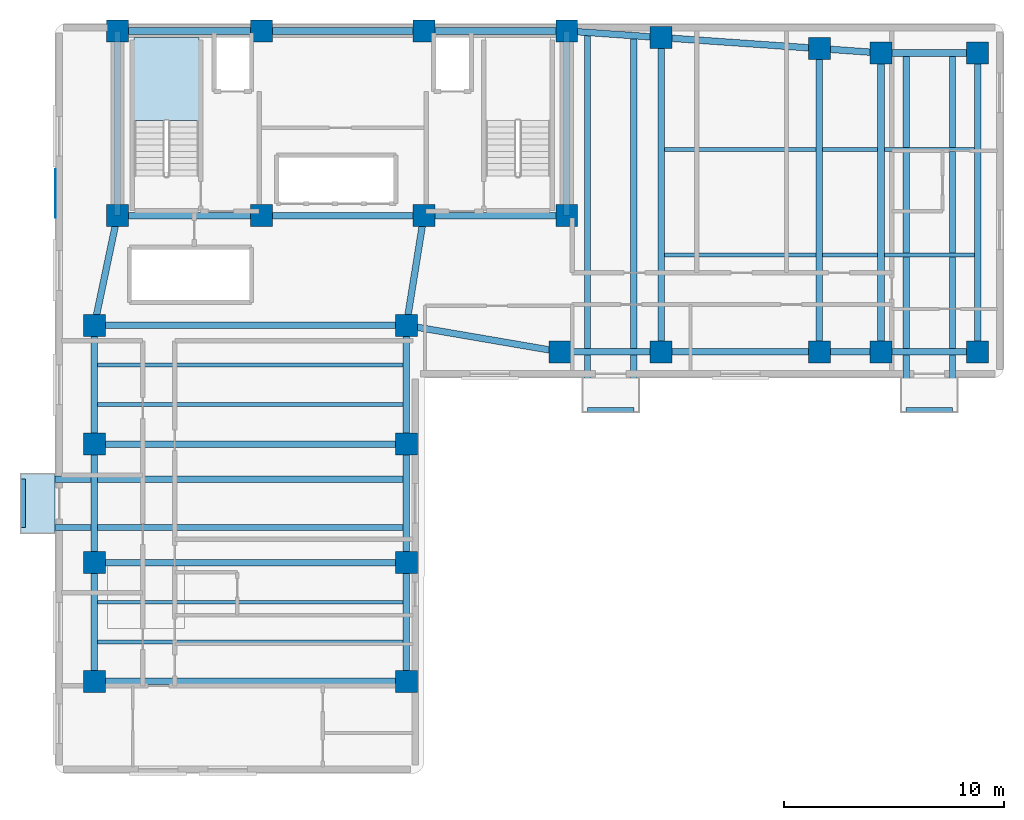
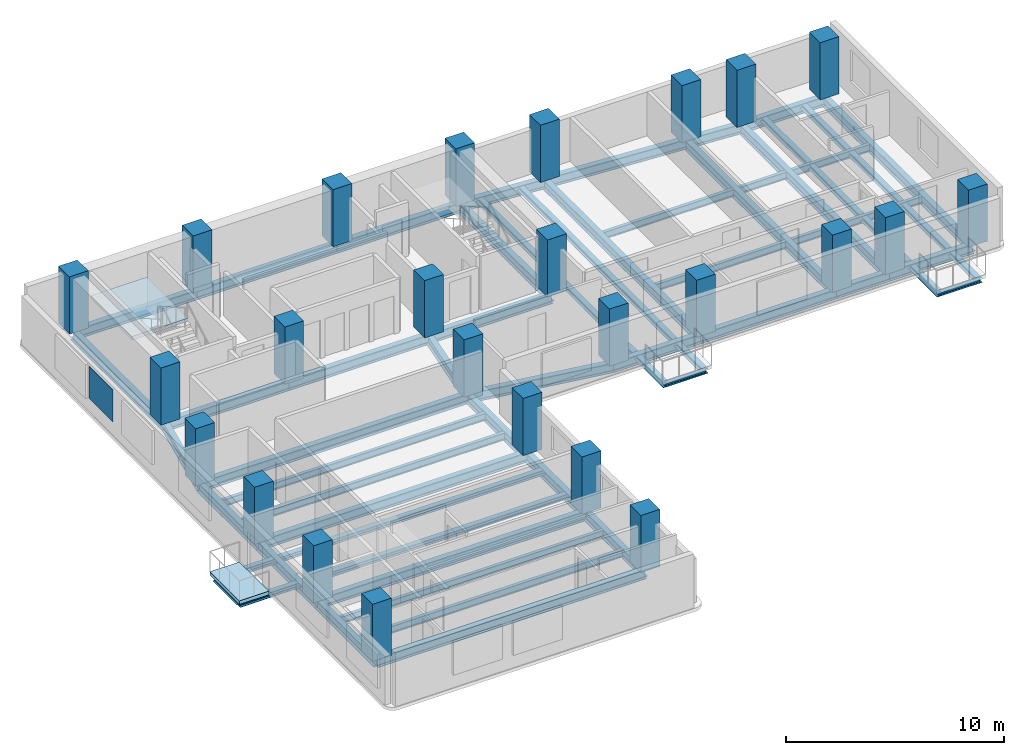
# One storey, part 1 of 7: 52 beams, 25 columns, 2 slabs, 1 plate, 1 element without a shape of its own.
"""IFC4 building model written with IfcOpenShell, lengths in metres."""

from ifc_helpers import new_model, si_unit, direction, frame, origin, origin_2d, place, context, subcontext, project, spatial, polyline, rectangle, i_section, outline, extrude, material, layer, layer_set, material_profile, profile_set, type_object, element, aggregate, save


model = new_model("IFC4")

# Units and contexts
model_context = context("Model", 3, precision=1e-05, world=origin(), true_north=direction((0.0, 1.0)))
body_context = subcontext(model_context, "Body", "Model", "MODEL_VIEW")
ifc_project = project(units=[si_unit("LENGTHUNIT", "METRE"), si_unit("AREAUNIT", "SQUARE_METRE"), si_unit("VOLUMEUNIT", "CUBIC_METRE"), si_unit("PLANEANGLEUNIT", "RADIAN"), si_unit("MASSUNIT", "GRAM", prefix="KILO")], contexts=[model_context])

# Site, building, storey
site_placement = place(None, origin())
site = spatial("IfcSite", under=ifc_project, at=site_placement, CompositionType="ELEMENT")
building_placement = place(site_placement, origin())
building = spatial("IfcBuilding", under=site, at=building_placement, Name="Kuzgunbayir Cultural Tower", CompositionType="ELEMENT")
storey_placement = place(building_placement, frame((0.0, 0.0, 126.60009765625)))
storey = spatial("IfcBuildingStorey", under=building, at=storey_placement, Name="L36", CompositionType="ELEMENT", Elevation=126.60009765625)

# Columns
ifc_material_1 = material(Name="Concrete C50/60", Category="concrete")
ifc_material_profile_1 = material_profile(ifc_material_1, rectangle(XDim=1.0, YDim=1.0, at=origin_2d()), Name="RC 1000x1000")
ifc_profile_set_1 = profile_set([ifc_material_profile_1], Name="Concrete C50/60")
column_type_1 = type_object("IfcColumnType", Name="COL-CORE-1000", PredefinedType="COLUMN", material=ifc_profile_set_1)
for number, where, z_axis, x_axis, name in (
    (1, (6.449951171875, 33.800048828125, 0.0), (0.0, 0.0, 1.0), (1.0, 0.0, 0.0), "L36 T1 Core Boundary Column CC1-1"),
    (2, (13.0, 33.800048828125, 0.0), (0.0, 0.0, 1.0), (1.0, 0.0, 0.0), "L36 T1 Core Boundary Column CC1-2"),
    (3, (20.39990234375, 33.800048828125, 0.0), (0.0, 0.0, 1.0), (1.0, 0.0, 0.0), "L36 T1 Core Boundary Column CC1-3"),
    (4, (26.89990234375, 33.800048828125, 0.0), (0.0, 0.0, 1.0), (1.0, 0.0, 0.0), "L36 T1 Core Boundary Column CC1-4"),
    (5, (6.449951171875, 42.199951171875, 0.0), (0.0, 0.0, 1.0), (1.0, 0.0, 0.0), "L36 T1 Core Boundary Column CC1-5"),
    (6, (13.0, 42.199951171875, 0.0), (0.0, 0.0, 1.0), (1.0, 0.0, 0.0), "L36 T1 Core Boundary Column CC1-6"),
    (7, (20.39990234375, 42.199951171875, 0.0), (0.0, 0.0, 1.0), (1.0, 0.0, 0.0), "L36 T1 Core Boundary Column CC1-7"),
    (8, (26.89990234375, 42.199951171875, 0.0), (0.0, 0.0, 1.0), (1.0, 0.0, 0.0), "L36 T1 Core Boundary Column CC1-8"),
):
    element("IfcColumn", number, at=place(storey_placement, frame(where, z_axis=z_axis, x_axis=x_axis)), inside=storey, type_object=column_type_1, Name=name, PredefinedType="COLUMN", context=body_context, shape_type="SweptSolid", body=[
        extrude(rectangle(XDim=1.0, YDim=1.0, at=origin_2d()), origin(), (0.0, 0.0, 1.0), 3.199951171875),
    ])
ifc_material_profile_2 = material_profile(ifc_material_1, rectangle(XDim=1.0, YDim=1.0, at=origin_2d()), Name="RC 1000x1000")
ifc_profile_set_2 = profile_set([ifc_material_profile_2], Name="Concrete C50/60")
column_type_2 = type_object("IfcColumnType", Name="COL-T1-1000", PredefinedType="COLUMN", material=ifc_profile_set_2)
for number, where, z_axis, x_axis, name in (
    (9, (5.39990234375, 12.60009765625, 0.0), (0.0, 0.0, 1.0), (1.0, 0.0, 0.0), "L36 Tower 1 Wing A Column T1A-W-1"),
    (10, (19.60009765625, 12.60009765625, 0.0), (0.0, 0.0, 1.0), (1.0, 0.0, 0.0), "L36 Tower 1 Wing A Column T1A-E-1"),
    (11, (5.39990234375, 18.0, 0.0), (0.0, 0.0, 1.0), (1.0, 0.0, 0.0), "L36 Tower 1 Wing A Column T1A-W-2"),
    (12, (19.60009765625, 18.0, 0.0), (0.0, 0.0, 1.0), (1.0, 0.0, 0.0), "L36 Tower 1 Wing A Column T1A-E-2"),
    (13, (5.39990234375, 23.39990234375, 0.0), (0.0, 0.0, 1.0), (1.0, 0.0, 0.0), "L36 Tower 1 Wing A Column T1A-W-3"),
    (14, (19.60009765625, 23.39990234375, 0.0), (0.0, 0.0, 1.0), (1.0, 0.0, 0.0), "L36 Tower 1 Wing A Column T1A-E-3"),
    (15, (5.39990234375, 28.800048828125, 0.0), (0.0, 0.0, 1.0), (1.0, 0.0, 0.0), "L36 Tower 1 Wing A Column T1A-W-4"),
    (16, (19.60009765625, 28.800048828125, 0.0), (0.0, 0.0, 1.0), (1.0, 0.0, 0.0), "L36 Tower 1 Wing A Column T1A-E-4"),
    (17, (26.60009765625, 27.60009765625, 0.0), (0.0, 0.0, 1.0), (1.0, 0.0, 0.0), "L36 Tower 1 Wing B Column T1B-1-1"),
    (18, (31.199951171875, 27.60009765625, 0.0), (0.0, 0.0, 1.0), (1.0, 0.0, 0.0), "L36 Tower 1 Wing B Column T1B-2-1"),
    (19, (31.199951171875, 41.89990234375, 0.0), (0.0, 0.0, 1.0), (1.0, 0.0, 0.0), "L36 Tower 1 Wing B Column T1B-2-2"),
    (20, (38.39990234375, 27.60009765625, 0.0), (0.0, 0.0, 1.0), (1.0, 0.0, 0.0), "L36 Tower 1 Wing B Column T1B-3-1"),
    (21, (38.39990234375, 41.39990234375, 0.0), (0.0, 0.0, 1.0), (1.0, 0.0, 0.0), "L36 Tower 1 Wing B Column T1B-3-2"),
    (22, (41.199951171875, 27.60009765625, 0.0), (0.0, 0.0, 1.0), (1.0, 0.0, 0.0), "L36 Tower 1 Wing B Column T1B-4-1"),
    (23, (41.199951171875, 41.199951171875, 0.0), (0.0, 0.0, 1.0), (1.0, 0.0, 0.0), "L36 Tower 1 Wing B Column T1B-4-2"),
    (24, (45.60009765625, 27.60009765625, 0.0), (0.0, 0.0, 1.0), (1.0, 0.0, 0.0), "L36 Tower 1 Wing B Column T1B-5-1"),
    (25, (45.60009765625, 41.199951171875, 0.0), (0.0, 0.0, 1.0), (1.0, 0.0, 0.0), "L36 Tower 1 Wing B Column T1B-5-2"),
):
    element("IfcColumn", number, at=place(storey_placement, frame(where, z_axis=z_axis, x_axis=x_axis)), inside=storey, type_object=column_type_2, Name=name, PredefinedType="COLUMN", context=body_context, shape_type="SweptSolid", body=[
        extrude(rectangle(XDim=1.0, YDim=1.0, at=origin_2d()), origin(), (0.0, 0.0, 1.0), 3.199951171875),
    ])

# Beams
ifc_material_2 = material(Name="Steel S355J2", Category="steel")
ifc_material_profile_3 = material_profile(ifc_material_2, i_section(OverallWidth=0.280029296875, OverallDepth=0.280029296875, WebThickness=0.010498046875, FlangeThickness=0.01806640625, FilletRadius=0.02392578125, at=origin_2d()), Name="HEB 280")
ifc_profile_set_3 = profile_set([ifc_material_profile_3], Name="Steel S355J2")
beam_type_1 = type_object("IfcBeamType", Name="BM-BAL-HEB280", PredefinedType="BEAM", material=ifc_profile_set_3)
for number, where, z_axis, x_axis, name in (
    (26, (2.159912109375, 19.60009765625, -0.340087890625), (1.0, 0.0, 0.0), (0.0, 1.0, 0.0), "L36 Balcony Outrigger Beam BAL-L36-WA2.1"),
    (27, (2.159912109375, 21.800048828125, -0.340087890625), (1.0, 0.0, 0.0), (0.0, 1.0, 0.0), "L36 Balcony Outrigger Beam BAL-L36-WA2.2"),
):
    element("IfcBeam", number, at=place(storey_placement, frame(where, z_axis=z_axis, x_axis=x_axis)), inside=storey, type_object=beam_type_1, Name=name, PredefinedType="BEAM", context=body_context, shape_type="SweptSolid", body=[
        extrude(i_section(OverallWidth=0.280029296875, OverallDepth=0.280029296875, WebThickness=0.010498046875, FlangeThickness=0.01806640625, FilletRadius=0.02392578125, at=origin_2d()), origin(), (0.0, 0.0, 1.0), 17.440185546875),
    ])
beam_1_placement = place(storey_placement, frame((27.85009765625, 24.9599609375, -0.340087890625), z_axis=(0.0, 1.0, 0.0), x_axis=(-1.0, 0.0, 0.0)))
element("IfcBeam", 28, at=beam_1_placement, inside=storey, type_object=beam_type_1, Name="L36 Balcony Outrigger Beam BAL-L36-WB1.1", PredefinedType="BEAM", context=body_context, shape_type="SweptSolid", body=[
    extrude(i_section(OverallWidth=0.280029296875, OverallDepth=0.280029296875, WebThickness=0.010498046875, FlangeThickness=0.01806640625, FilletRadius=0.02392578125, at=origin_2d()), origin(), (0.0, 0.0, 1.0), 17.169921875),
])
beam_2_placement = place(storey_placement, frame((29.949951171875, 24.9599609375, -0.340087890625), z_axis=(0.0, 1.0, 0.0), x_axis=(-1.0, 0.0, 0.0)))
element("IfcBeam", 29, at=beam_2_placement, inside=storey, type_object=beam_type_1, Name="L36 Balcony Outrigger Beam BAL-L36-WB1.2", PredefinedType="BEAM", context=body_context, shape_type="SweptSolid", body=[
    extrude(i_section(OverallWidth=0.280029296875, OverallDepth=0.280029296875, WebThickness=0.010498046875, FlangeThickness=0.01806640625, FilletRadius=0.02392578125, at=origin_2d()), origin(), (0.0, 0.0, 1.0), 17.030029296875),
])
for number, where, z_axis, x_axis, name in (
    (30, (42.35009765625, 24.9599609375, -0.340087890625), (0.0, 1.0, 0.0), (-1.0, 0.0, 0.0), "L36 Balcony Outrigger Beam BAL-L36-WB3.1"),
    (31, (44.449951171875, 24.9599609375, -0.340087890625), (0.0, 1.0, 0.0), (-1.0, 0.0, 0.0), "L36 Balcony Outrigger Beam BAL-L36-WB3.2"),
):
    element("IfcBeam", number, at=place(storey_placement, frame(where, z_axis=z_axis, x_axis=x_axis)), inside=storey, type_object=beam_type_1, Name=name, PredefinedType="BEAM", context=body_context, shape_type="SweptSolid", body=[
        extrude(i_section(OverallWidth=0.280029296875, OverallDepth=0.280029296875, WebThickness=0.010498046875, FlangeThickness=0.01806640625, FilletRadius=0.02392578125, at=origin_2d()), origin(), (0.0, 0.0, 1.0), 16.239990234375),
    ])
ifc_material_profile_4 = material_profile(ifc_material_2, i_section(OverallWidth=0.199951171875, OverallDepth=0.199951171875, WebThickness=0.009033203125, FlangeThickness=0.014892578125, FilletRadius=0.01806640625, at=origin_2d()), Name="HEB 200")
ifc_profile_set_4 = profile_set([ifc_material_profile_4], Name="Steel S355J2")
beam_type_2 = type_object("IfcBeamType", Name="BM-CAN-HEB200", PredefinedType="BEAM", material=ifc_profile_set_4)
beam_3_placement = place(storey_placement, frame((2.159912109375, 19.60009765625, -0.300048828125), z_axis=(0.0, 1.0, 0.0), x_axis=(-1.0, 0.0, 0.0)))
element("IfcBeam", 32, at=beam_3_placement, inside=storey, type_object=beam_type_2, Name="L36 Balcony Edge Header BAL-L36-WA2", PredefinedType="BEAM", context=body_context, shape_type="SweptSolid", body=[
    extrude(i_section(OverallWidth=0.199951171875, OverallDepth=0.199951171875, WebThickness=0.009033203125, FlangeThickness=0.014892578125, FilletRadius=0.01806640625, at=origin_2d()), origin(), (0.0, 0.0, 1.0), 2.199951171875),
])
for number, where, z_axis, x_axis, name in (
    (33, (27.85009765625, 24.9599609375, -0.300048828125), (1.0, 0.0, 0.0), (0.0, 1.0, 0.0), "L36 Balcony Edge Header BAL-L36-WB1"),
    (34, (42.35009765625, 24.9599609375, -0.300048828125), (1.0, 0.0, 0.0), (0.0, 1.0, 0.0), "L36 Balcony Edge Header BAL-L36-WB3"),
):
    element("IfcBeam", number, at=place(storey_placement, frame(where, z_axis=z_axis, x_axis=x_axis)), inside=storey, type_object=beam_type_2, Name=name, PredefinedType="BEAM", context=body_context, shape_type="SweptSolid", body=[
        extrude(i_section(OverallWidth=0.199951171875, OverallDepth=0.199951171875, WebThickness=0.009033203125, FlangeThickness=0.014892578125, FilletRadius=0.01806640625, at=origin_2d()), origin(), (0.0, 0.0, 1.0), 2.099853515625),
    ])
ifc_material_profile_5 = material_profile(ifc_material_2, i_section(OverallWidth=0.300048828125, OverallDepth=0.550048828125, WebThickness=0.014892578125, FlangeThickness=0.029052734375, FilletRadius=0.027099609375, at=origin_2d()), Name="HEB 550")
ifc_profile_set_5 = profile_set([ifc_material_profile_5], Name="Steel S355J2")
beam_type_3 = type_object("IfcBeamType", Name="BM-EXT-HEB550", PredefinedType="BEAM", material=ifc_profile_set_5)
for number, where, z_axis, x_axis, name in (
    (35, (5.39990234375, 12.60009765625, -0.460205078125), (0.0, 1.0, 0.0), (-1.0, 0.0, 0.0), "L36 Wing A West Girder 1"),
    (36, (19.60009765625, 12.60009765625, -0.460205078125), (0.0, 1.0, 0.0), (-1.0, 0.0, 0.0), "L36 Wing A East Girder 1"),
    (37, (5.39990234375, 18.0, -0.460205078125), (0.0, 1.0, 0.0), (-1.0, 0.0, 0.0), "L36 Wing A West Girder 2"),
    (38, (19.60009765625, 18.0, -0.460205078125), (0.0, 1.0, 0.0), (-1.0, 0.0, 0.0), "L36 Wing A East Girder 2"),
):
    element("IfcBeam", number, at=place(storey_placement, frame(where, z_axis=z_axis, x_axis=x_axis)), inside=storey, type_object=beam_type_3, Name=name, PredefinedType="BEAM", context=body_context, shape_type="SweptSolid", body=[
        extrude(i_section(OverallWidth=0.300048828125, OverallDepth=0.550048828125, WebThickness=0.014892578125, FlangeThickness=0.029052734375, FilletRadius=0.027099609375, at=origin_2d()), origin(), (0.0, 0.0, 1.0), 5.39990234375),
    ])
for number, where, z_axis, x_axis, name in (
    (39, (5.39990234375, 23.39990234375, -0.460205078125), (0.0, 1.0, 0.0), (-1.0, 0.0, 0.0), "L36 Wing A West Girder 3"),
    (40, (19.60009765625, 23.39990234375, -0.460205078125), (0.0, 1.0, 0.0), (-1.0, 0.0, 0.0), "L36 Wing A East Girder 3"),
):
    element("IfcBeam", number, at=place(storey_placement, frame(where, z_axis=z_axis, x_axis=x_axis)), inside=storey, type_object=beam_type_3, Name=name, PredefinedType="BEAM", context=body_context, shape_type="SweptSolid", body=[
        extrude(i_section(OverallWidth=0.300048828125, OverallDepth=0.550048828125, WebThickness=0.014892578125, FlangeThickness=0.029052734375, FilletRadius=0.027099609375, at=origin_2d()), origin(), (0.0, 0.0, 1.0), 5.400146484375),
    ])
beam_4_placement = place(storey_placement, frame((26.60009765625, 27.60009765625, -0.460205078125), z_axis=(1.0, 0.0, 0.0), x_axis=(0.0, 1.0, 0.0)))
element("IfcBeam", 41, at=beam_4_placement, inside=storey, type_object=beam_type_3, Name="L36 Wing B South Girder 1", PredefinedType="BEAM", context=body_context, shape_type="SweptSolid", body=[
    extrude(i_section(OverallWidth=0.300048828125, OverallDepth=0.550048828125, WebThickness=0.014892578125, FlangeThickness=0.029052734375, FilletRadius=0.027099609375, at=origin_2d()), origin(), (0.0, 0.0, 1.0), 4.599853515625),
])
beam_5_placement = place(storey_placement, frame((26.89990234375, 42.199951171875, -0.460205078125), z_axis=(0.997574369175, -0.069608749203, 0.0), x_axis=(0.069608749203, 0.997574369175, 0.0)))
element("IfcBeam", 42, at=beam_5_placement, inside=storey, type_object=beam_type_3, Name="L36 Wing B North Girder 1", PredefinedType="BEAM", context=body_context, shape_type="SweptSolid", body=[
    extrude(i_section(OverallWidth=0.300048828125, OverallDepth=0.550048828125, WebThickness=0.014892578125, FlangeThickness=0.029052734375, FilletRadius=0.027099609375, at=origin_2d()), origin(), (0.0, 0.0, 1.0), 4.310546875),
])
beam_6_placement = place(storey_placement, frame((31.199951171875, 27.60009765625, -0.460205078125), z_axis=(1.0, 0.0, 0.0), x_axis=(0.0, 1.0, 0.0)))
element("IfcBeam", 43, at=beam_6_placement, inside=storey, type_object=beam_type_3, Name="L36 Wing B South Girder 2", PredefinedType="BEAM", context=body_context, shape_type="SweptSolid", body=[
    extrude(i_section(OverallWidth=0.300048828125, OverallDepth=0.550048828125, WebThickness=0.014892578125, FlangeThickness=0.029052734375, FilletRadius=0.027099609375, at=origin_2d()), origin(), (0.0, 0.0, 1.0), 7.199951171875),
])
beam_7_placement = place(storey_placement, frame((31.199951171875, 41.89990234375, -0.460205078125), z_axis=(0.997597388498, -0.069278066245, 0.0), x_axis=(0.069278066245, 0.997597388498, 0.0)))
element("IfcBeam", 44, at=beam_7_placement, inside=storey, type_object=beam_type_3, Name="L36 Wing B North Girder 2", PredefinedType="BEAM", context=body_context, shape_type="SweptSolid", body=[
    extrude(i_section(OverallWidth=0.300048828125, OverallDepth=0.550048828125, WebThickness=0.014892578125, FlangeThickness=0.029052734375, FilletRadius=0.027099609375, at=origin_2d()), origin(), (0.0, 0.0, 1.0), 7.21728515625),
])
beam_8_placement = place(storey_placement, frame((38.39990234375, 27.60009765625, -0.460205078125), z_axis=(1.0, 0.0, 0.0), x_axis=(0.0, 1.0, 0.0)))
element("IfcBeam", 45, at=beam_8_placement, inside=storey, type_object=beam_type_3, Name="L36 Wing B South Girder 3", PredefinedType="BEAM", context=body_context, shape_type="SweptSolid", body=[
    extrude(i_section(OverallWidth=0.300048828125, OverallDepth=0.550048828125, WebThickness=0.014892578125, FlangeThickness=0.029052734375, FilletRadius=0.027099609375, at=origin_2d()), origin(), (0.0, 0.0, 1.0), 2.800048828125),
])
beam_9_placement = place(storey_placement, frame((38.39990234375, 41.39990234375, -0.460205078125), z_axis=(0.997460024076, -0.071228508128, 0.0), x_axis=(0.071228508128, 0.997460024076, 0.0)))
element("IfcBeam", 46, at=beam_9_placement, inside=storey, type_object=beam_type_3, Name="L36 Wing B North Girder 3", PredefinedType="BEAM", context=body_context, shape_type="SweptSolid", body=[
    extrude(i_section(OverallWidth=0.300048828125, OverallDepth=0.550048828125, WebThickness=0.014892578125, FlangeThickness=0.029052734375, FilletRadius=0.027099609375, at=origin_2d()), origin(), (0.0, 0.0, 1.0), 2.80712890625),
])
for number, where, z_axis, x_axis, name in (
    (47, (41.199951171875, 27.60009765625, -0.460205078125), (1.0, 0.0, 0.0), (0.0, 1.0, 0.0), "L36 Wing B South Girder 4"),
    (48, (41.199951171875, 41.199951171875, -0.460205078125), (1.0, 0.0, 0.0), (0.0, 1.0, 0.0), "L36 Wing B North Girder 4"),
):
    element("IfcBeam", number, at=place(storey_placement, frame(where, z_axis=z_axis, x_axis=x_axis)), inside=storey, type_object=beam_type_3, Name=name, PredefinedType="BEAM", context=body_context, shape_type="SweptSolid", body=[
        extrude(i_section(OverallWidth=0.300048828125, OverallDepth=0.550048828125, WebThickness=0.014892578125, FlangeThickness=0.029052734375, FilletRadius=0.027099609375, at=origin_2d()), origin(), (0.0, 0.0, 1.0), 4.400146484375),
    ])
ifc_material_profile_6 = material_profile(ifc_material_2, i_section(OverallWidth=0.300048828125, OverallDepth=0.550048828125, WebThickness=0.014892578125, FlangeThickness=0.029052734375, FilletRadius=0.027099609375, at=origin_2d()), Name="HEB 550")
ifc_profile_set_6 = profile_set([ifc_material_profile_6], Name="Steel S355J2")
beam_type_4 = type_object("IfcBeamType", Name="BM-GIR-HEB550", PredefinedType="BEAM", material=ifc_profile_set_6)
beam_10_placement = place(storey_placement, frame((6.449951171875, 33.800048828125, -0.460205078125), z_axis=(1.0, 0.0, 0.0), x_axis=(0.0, 1.0, 0.0)))
element("IfcBeam", 49, at=beam_10_placement, inside=storey, type_object=beam_type_4, Name="L36 Core South Girder 1", PredefinedType="BEAM", context=body_context, shape_type="SweptSolid", body=[
    extrude(i_section(OverallWidth=0.300048828125, OverallDepth=0.550048828125, WebThickness=0.014892578125, FlangeThickness=0.029052734375, FilletRadius=0.027099609375, at=origin_2d()), origin(), (0.0, 0.0, 1.0), 6.550048828125),
])
beam_11_placement = place(storey_placement, frame((13.0, 33.800048828125, -0.460205078125), z_axis=(1.0, 0.0, 0.0), x_axis=(0.0, 1.0, 0.0)))
element("IfcBeam", 50, at=beam_11_placement, inside=storey, type_object=beam_type_4, Name="L36 Core South Girder 2", PredefinedType="BEAM", context=body_context, shape_type="SweptSolid", body=[
    extrude(i_section(OverallWidth=0.300048828125, OverallDepth=0.550048828125, WebThickness=0.014892578125, FlangeThickness=0.029052734375, FilletRadius=0.027099609375, at=origin_2d()), origin(), (0.0, 0.0, 1.0), 7.39990234375),
])
beam_12_placement = place(storey_placement, frame((20.39990234375, 33.800048828125, -0.460205078125), z_axis=(1.0, 0.0, 0.0), x_axis=(0.0, 1.0, 0.0)))
element("IfcBeam", 51, at=beam_12_placement, inside=storey, type_object=beam_type_4, Name="L36 Core South Girder 3", PredefinedType="BEAM", context=body_context, shape_type="SweptSolid", body=[
    extrude(i_section(OverallWidth=0.300048828125, OverallDepth=0.550048828125, WebThickness=0.014892578125, FlangeThickness=0.029052734375, FilletRadius=0.027099609375, at=origin_2d()), origin(), (0.0, 0.0, 1.0), 6.5),
])
beam_13_placement = place(storey_placement, frame((6.449951171875, 42.199951171875, -0.460205078125), z_axis=(1.0, 0.0, 0.0), x_axis=(0.0, 1.0, 0.0)))
element("IfcBeam", 52, at=beam_13_placement, inside=storey, type_object=beam_type_4, Name="L36 Core North Girder 1", PredefinedType="BEAM", context=body_context, shape_type="SweptSolid", body=[
    extrude(i_section(OverallWidth=0.300048828125, OverallDepth=0.550048828125, WebThickness=0.014892578125, FlangeThickness=0.029052734375, FilletRadius=0.027099609375, at=origin_2d()), origin(), (0.0, 0.0, 1.0), 6.550048828125),
])
beam_14_placement = place(storey_placement, frame((13.0, 42.199951171875, -0.460205078125), z_axis=(1.0, 0.0, 0.0), x_axis=(0.0, 1.0, 0.0)))
element("IfcBeam", 53, at=beam_14_placement, inside=storey, type_object=beam_type_4, Name="L36 Core North Girder 2", PredefinedType="BEAM", context=body_context, shape_type="SweptSolid", body=[
    extrude(i_section(OverallWidth=0.300048828125, OverallDepth=0.550048828125, WebThickness=0.014892578125, FlangeThickness=0.029052734375, FilletRadius=0.027099609375, at=origin_2d()), origin(), (0.0, 0.0, 1.0), 7.39990234375),
])
beam_15_placement = place(storey_placement, frame((20.39990234375, 42.199951171875, -0.460205078125), z_axis=(1.0, 0.0, 0.0), x_axis=(0.0, 1.0, 0.0)))
element("IfcBeam", 54, at=beam_15_placement, inside=storey, type_object=beam_type_4, Name="L36 Core North Girder 3", PredefinedType="BEAM", context=body_context, shape_type="SweptSolid", body=[
    extrude(i_section(OverallWidth=0.300048828125, OverallDepth=0.550048828125, WebThickness=0.014892578125, FlangeThickness=0.029052734375, FilletRadius=0.027099609375, at=origin_2d()), origin(), (0.0, 0.0, 1.0), 6.5),
])
for number, where, z_axis, x_axis, name in (
    (55, (6.449951171875, 33.800048828125, -0.460205078125), (0.0, 1.0, 0.0), (-1.0, 0.0, 0.0), "L36 Core West Edge Girder"),
    (56, (26.89990234375, 33.800048828125, -0.460205078125), (0.0, 1.0, 0.0), (-1.0, 0.0, 0.0), "L36 Core East Edge Girder"),
):
    element("IfcBeam", number, at=place(storey_placement, frame(where, z_axis=z_axis, x_axis=x_axis)), inside=storey, type_object=beam_type_4, Name=name, PredefinedType="BEAM", context=body_context, shape_type="SweptSolid", body=[
        extrude(i_section(OverallWidth=0.300048828125, OverallDepth=0.550048828125, WebThickness=0.014892578125, FlangeThickness=0.029052734375, FilletRadius=0.027099609375, at=origin_2d()), origin(), (0.0, 0.0, 1.0), 8.39990234375),
    ])
for number, where, z_axis, x_axis, name in (
    (57, (5.39990234375, 12.60009765625, -0.460205078125), (1.0, 0.0, 0.0), (0.0, 1.0, 0.0), "L36 Wing A Transverse Girder 1"),
    (58, (5.39990234375, 18.0, -0.460205078125), (1.0, 0.0, 0.0), (0.0, 1.0, 0.0), "L36 Wing A Transverse Girder 2"),
    (59, (5.39990234375, 23.39990234375, -0.460205078125), (1.0, 0.0, 0.0), (0.0, 1.0, 0.0), "L36 Wing A Transverse Girder 3"),
    (60, (5.39990234375, 28.800048828125, -0.460205078125), (1.0, 0.0, 0.0), (0.0, 1.0, 0.0), "L36 Wing A Transverse Girder 4"),
):
    element("IfcBeam", number, at=place(storey_placement, frame(where, z_axis=z_axis, x_axis=x_axis)), inside=storey, type_object=beam_type_4, Name=name, PredefinedType="BEAM", context=body_context, shape_type="SweptSolid", body=[
        extrude(i_section(OverallWidth=0.300048828125, OverallDepth=0.550048828125, WebThickness=0.014892578125, FlangeThickness=0.029052734375, FilletRadius=0.027099609375, at=origin_2d()), origin(), (0.0, 0.0, 1.0), 14.2001953125),
    ])
beam_16_placement = place(storey_placement, frame((5.39990234375, 28.800048828125, -0.460205078125), z_axis=(0.205526387753, 0.978651574329, 0.0), x_axis=(-0.978651574329, 0.205526387753, 0.0)))
element("IfcBeam", 61, at=beam_16_placement, inside=storey, type_object=beam_type_4, Name="L36 Wing A West Core Floor Girder", PredefinedType="BEAM", context=body_context, shape_type="SweptSolid", body=[
    extrude(i_section(OverallWidth=0.300048828125, OverallDepth=0.550048828125, WebThickness=0.014892578125, FlangeThickness=0.029052734375, FilletRadius=0.027099609375, at=origin_2d()), origin(), (0.0, 0.0, 1.0), 5.109130859375),
])
beam_17_placement = place(storey_placement, frame((19.60009765625, 28.800048828125, -0.460205078125), z_axis=(0.157952891656, 0.987446648694, 0.0), x_axis=(-0.987446648694, 0.157952891656, 0.0)))
element("IfcBeam", 62, at=beam_17_placement, inside=storey, type_object=beam_type_4, Name="L36 Wing A East Core Floor Girder", PredefinedType="BEAM", context=body_context, shape_type="SweptSolid", body=[
    extrude(i_section(OverallWidth=0.300048828125, OverallDepth=0.550048828125, WebThickness=0.014892578125, FlangeThickness=0.029052734375, FilletRadius=0.027099609375, at=origin_2d()), origin(), (0.0, 0.0, 1.0), 5.0634765625),
])
beam_18_placement = place(storey_placement, frame((31.199951171875, 27.60009765625, -0.460205078125), z_axis=(0.0, 1.0, 0.0), x_axis=(-1.0, 0.0, 0.0)))
element("IfcBeam", 63, at=beam_18_placement, inside=storey, type_object=beam_type_4, Name="L36 Wing B Cross Girder 31", PredefinedType="BEAM", context=body_context, shape_type="SweptSolid", body=[
    extrude(i_section(OverallWidth=0.300048828125, OverallDepth=0.550048828125, WebThickness=0.014892578125, FlangeThickness=0.029052734375, FilletRadius=0.027099609375, at=origin_2d()), origin(), (0.0, 0.0, 1.0), 14.2998046875),
])
beam_19_placement = place(storey_placement, frame((38.39990234375, 27.60009765625, -0.460205078125), z_axis=(0.0, 1.0, 0.0), x_axis=(-1.0, 0.0, 0.0)))
element("IfcBeam", 64, at=beam_19_placement, inside=storey, type_object=beam_type_4, Name="L36 Wing B Cross Girder 38", PredefinedType="BEAM", context=body_context, shape_type="SweptSolid", body=[
    extrude(i_section(OverallWidth=0.300048828125, OverallDepth=0.550048828125, WebThickness=0.014892578125, FlangeThickness=0.029052734375, FilletRadius=0.027099609375, at=origin_2d()), origin(), (0.0, 0.0, 1.0), 13.7998046875),
])
for number, where, z_axis, x_axis, name in (
    (65, (41.199951171875, 27.60009765625, -0.460205078125), (0.0, 1.0, 0.0), (-1.0, 0.0, 0.0), "L36 Wing B Cross Girder 41"),
    (66, (45.60009765625, 27.60009765625, -0.460205078125), (0.0, 1.0, 0.0), (-1.0, 0.0, 0.0), "L36 Wing B Cross Girder 45"),
):
    element("IfcBeam", number, at=place(storey_placement, frame(where, z_axis=z_axis, x_axis=x_axis)), inside=storey, type_object=beam_type_4, Name=name, PredefinedType="BEAM", context=body_context, shape_type="SweptSolid", body=[
        extrude(i_section(OverallWidth=0.300048828125, OverallDepth=0.550048828125, WebThickness=0.014892578125, FlangeThickness=0.029052734375, FilletRadius=0.027099609375, at=origin_2d()), origin(), (0.0, 0.0, 1.0), 13.599853515625),
    ])
beam_20_placement = place(storey_placement, frame((19.60009765625, 28.800048828125, -0.460205078125), z_axis=(0.985623399742, -0.168957136221, 0.0), x_axis=(0.168957136221, 0.985623399742, 0.0)))
element("IfcBeam", 67, at=beam_20_placement, inside=storey, type_object=beam_type_4, Name="L36 Wing B Waist Tie Girder", PredefinedType="BEAM", context=body_context, shape_type="SweptSolid", body=[
    extrude(i_section(OverallWidth=0.300048828125, OverallDepth=0.550048828125, WebThickness=0.014892578125, FlangeThickness=0.029052734375, FilletRadius=0.027099609375, at=origin_2d()), origin(), (0.0, 0.0, 1.0), 7.10205078125),
])
ifc_material_profile_7 = material_profile(ifc_material_2, i_section(OverallWidth=0.179931640625, OverallDepth=0.39990234375, WebThickness=0.008544921875, FlangeThickness=0.013427734375, FilletRadius=0.02099609375, at=origin_2d()), Name="IPE 400")
ifc_profile_set_7 = profile_set([ifc_material_profile_7], Name="Steel S355J2")
beam_type_5 = type_object("IfcBeamType", Name="BM-JST-IPE400", PredefinedType="JOIST", material=ifc_profile_set_7)
for number, where, z_axis, x_axis, name in (
    (68, (5.550048828125, 14.39990234375, -0.380126953125), (1.0, 0.0, 0.0), (0.0, 1.0, 0.0), "L36 Wing A Secondary Joist 1"),
    (69, (5.550048828125, 16.199951171875, -0.380126953125), (1.0, 0.0, 0.0), (0.0, 1.0, 0.0), "L36 Wing A Secondary Joist 2"),
    (70, (5.550048828125, 25.199951171875, -0.380126953125), (1.0, 0.0, 0.0), (0.0, 1.0, 0.0), "L36 Wing A Secondary Joist 5"),
    (71, (5.550048828125, 27.0, -0.380126953125), (1.0, 0.0, 0.0), (0.0, 1.0, 0.0), "L36 Wing A Secondary Joist 6"),
):
    element("IfcBeam", number, at=place(storey_placement, frame(where, z_axis=z_axis, x_axis=x_axis)), inside=storey, type_object=beam_type_5, Name=name, PredefinedType="JOIST", context=body_context, shape_type="SweptSolid", body=[
        extrude(i_section(OverallWidth=0.179931640625, OverallDepth=0.39990234375, WebThickness=0.008544921875, FlangeThickness=0.013427734375, FilletRadius=0.02099609375, at=origin_2d()), origin(), (0.0, 0.0, 1.0), 13.89990234375),
    ])
for number, where, z_axis, x_axis, name in (
    (72, (31.35009765625, 32.0, -0.380126953125), (1.0, 0.0, 0.0), (0.0, 1.0, 0.0), "L36 Wing B Secondary Joist 1.1"),
    (73, (31.35009765625, 36.800048828125, -0.380126953125), (1.0, 0.0, 0.0), (0.0, 1.0, 0.0), "L36 Wing B Secondary Joist 1.2"),
):
    element("IfcBeam", number, at=place(storey_placement, frame(where, z_axis=z_axis, x_axis=x_axis)), inside=storey, type_object=beam_type_5, Name=name, PredefinedType="JOIST", context=body_context, shape_type="SweptSolid", body=[
        extrude(i_section(OverallWidth=0.179931640625, OverallDepth=0.39990234375, WebThickness=0.008544921875, FlangeThickness=0.013427734375, FilletRadius=0.02099609375, at=origin_2d()), origin(), (0.0, 0.0, 1.0), 6.89990234375),
    ])
for number, where, z_axis, x_axis, name in (
    (74, (38.550048828125, 32.0, -0.380126953125), (1.0, 0.0, 0.0), (0.0, 1.0, 0.0), "L36 Wing B Secondary Joist 2.1"),
    (75, (38.550048828125, 36.800048828125, -0.380126953125), (1.0, 0.0, 0.0), (0.0, 1.0, 0.0), "L36 Wing B Secondary Joist 2.2"),
):
    element("IfcBeam", number, at=place(storey_placement, frame(where, z_axis=z_axis, x_axis=x_axis)), inside=storey, type_object=beam_type_5, Name=name, PredefinedType="JOIST", context=body_context, shape_type="SweptSolid", body=[
        extrude(i_section(OverallWidth=0.179931640625, OverallDepth=0.39990234375, WebThickness=0.008544921875, FlangeThickness=0.013427734375, FilletRadius=0.02099609375, at=origin_2d()), origin(), (0.0, 0.0, 1.0), 2.5),
    ])
for number, where, z_axis, x_axis, name in (
    (76, (41.35009765625, 32.0, -0.380126953125), (1.0, 0.0, 0.0), (0.0, 1.0, 0.0), "L36 Wing B Secondary Joist 3.1"),
    (77, (41.35009765625, 36.800048828125, -0.380126953125), (1.0, 0.0, 0.0), (0.0, 1.0, 0.0), "L36 Wing B Secondary Joist 3.2"),
):
    element("IfcBeam", number, at=place(storey_placement, frame(where, z_axis=z_axis, x_axis=x_axis)), inside=storey, type_object=beam_type_5, Name=name, PredefinedType="JOIST", context=body_context, shape_type="SweptSolid", body=[
        extrude(i_section(OverallWidth=0.179931640625, OverallDepth=0.39990234375, WebThickness=0.008544921875, FlangeThickness=0.013427734375, FilletRadius=0.02099609375, at=origin_2d()), origin(), (0.0, 0.0, 1.0), 4.099853515625),
    ])

# Plate
ifc_material_3 = material(Name="Perforated Bronze-Anodised Aluminium", Category="aluminium")
ifc_layer_1 = layer(ifc_material_3, 0.02392578125)
ifc_layer_set_1 = layer_set([ifc_layer_1], Name="Perforated Bronze-Anodised Aluminium")
plate_type = type_object("IfcPlateType", Name="PLT-SOLAR-SCREEN-14", PredefinedType="SHEET", material=ifc_layer_set_1)
plate_placement = place(storey_placement, frame((3.639892578125, 34.800048828125, 0.75), z_axis=(0.0, 0.0, 1.0), x_axis=(1.0, 0.0, 0.0)))
element("IfcPlate", 78, at=plate_placement, inside=storey, type_object=plate_type, Name="L36 Tower 1 Perforated Ceramic Solar Screen Panel", PredefinedType="SHEET", context=body_context, shape_type="SweptSolid", body=[
    extrude(rectangle(XDim=0.02392578125, YDim=2.199951171875, at=origin_2d()), origin(), (0.0, 0.0, 1.0), 1.800048828125),
])

# Slab
ifc_material_4 = material(Name="Concrete C40/50", Category="concrete")
ifc_layer_2 = layer(ifc_material_4, 0.199951171875)
ifc_layer_set_2 = layer_set([ifc_layer_2], Name="Concrete C40/50")
slab_type_1 = type_object("IfcSlabType", Name="SLB-BAL-STONE", PredefinedType="FLOOR", material=ifc_layer_set_2)
slab_1_placement = place(storey_placement, frame((0.0, 0.0, -0.2001953125)))
element("IfcSlab", 79, at=slab_1_placement, inside=storey, type_object=slab_type_1, Name="L36 Projecting Limestone Balcony BAL-L36-WA2", PredefinedType="FLOOR", context=body_context, shape_type="SweptSolid", body=[
    extrude(outline(polyline([(2.0400390625, 19.35009765625), (3.60009765625, 19.35009765625), (3.60009765625, 22.050048828125), (2.0400390625, 22.050048828125), (2.0400390625, 19.35009765625)])), origin(), (0.0, 0.0, 1.0), 0.2001953125),
])

# Stair, slab
stair_type = type_object("IfcStairType", Name="STR-EXIT-CORE", PredefinedType="HALF_TURN_STAIR", material=ifc_material_4)
stair_placement = place(storey_placement, origin())
stair = element("IfcStair", 80, at=stair_placement, inside=storey, type_object=stair_type, Name="L36 ST-1", PredefinedType="HALF_TURN_STAIR")
ifc_layer_3 = layer(ifc_material_4, 0.179931640625)
ifc_layer_set_3 = layer_set([ifc_layer_3], Name="Concrete C40/50")
slab_type_2 = type_object("IfcSlabType", Name="SLB-LANDING-180", PredefinedType="LANDING", material=ifc_layer_set_3)
slab_2_placement = place(storey_placement, frame((0.0, 0.0, 1.39990234375)))
slab_2 = element("IfcSlab", 81, at=slab_2_placement, type_object=slab_type_2, Name="ST-1 landing 1", PredefinedType="LANDING", context=body_context, shape_type="SweptSolid", body=[
    extrude(outline(polyline([(10.159912109375, 38.1201171875), (10.159912109375, 41.89990234375), (7.199951171875, 41.89990234375), (7.199951171875, 38.1201171875), (10.159912109375, 38.1201171875)])), origin(), (0.0, 0.0, 1.0), 0.199951171875),
])
aggregate(stair, [slab_2])

save(model, "model.ifc")
